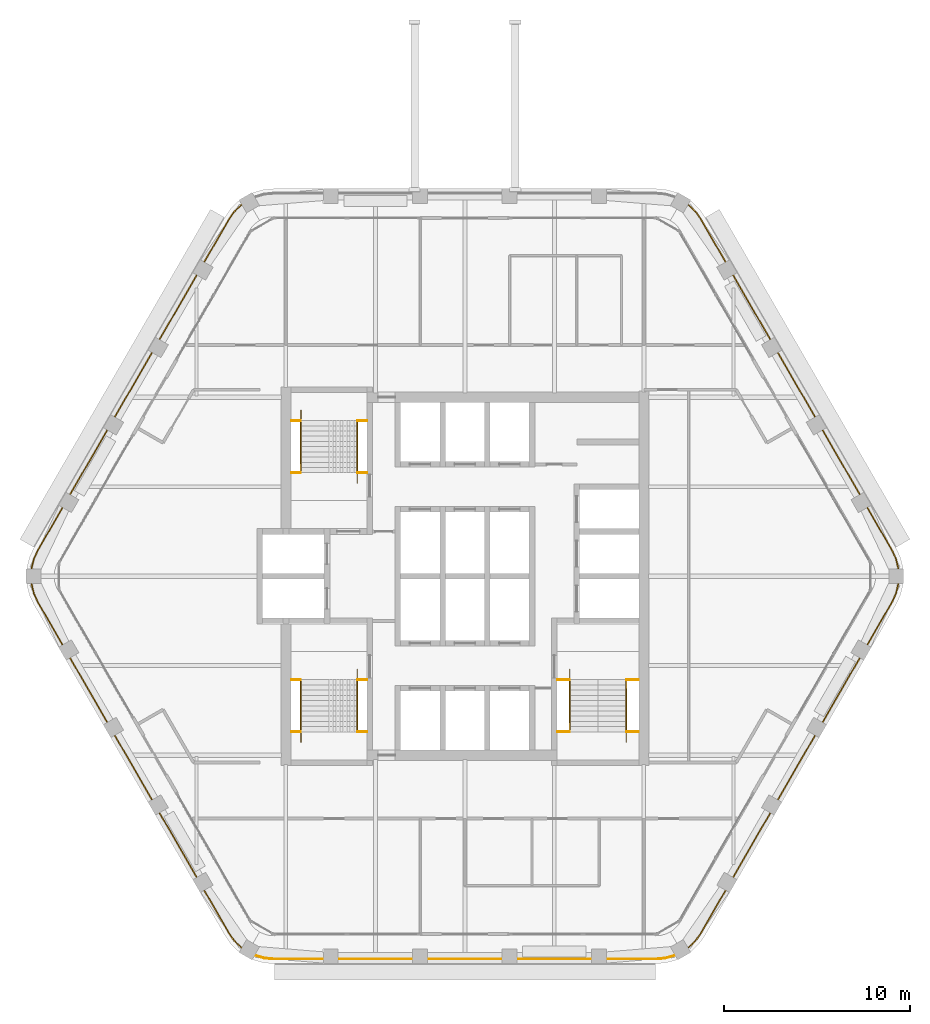
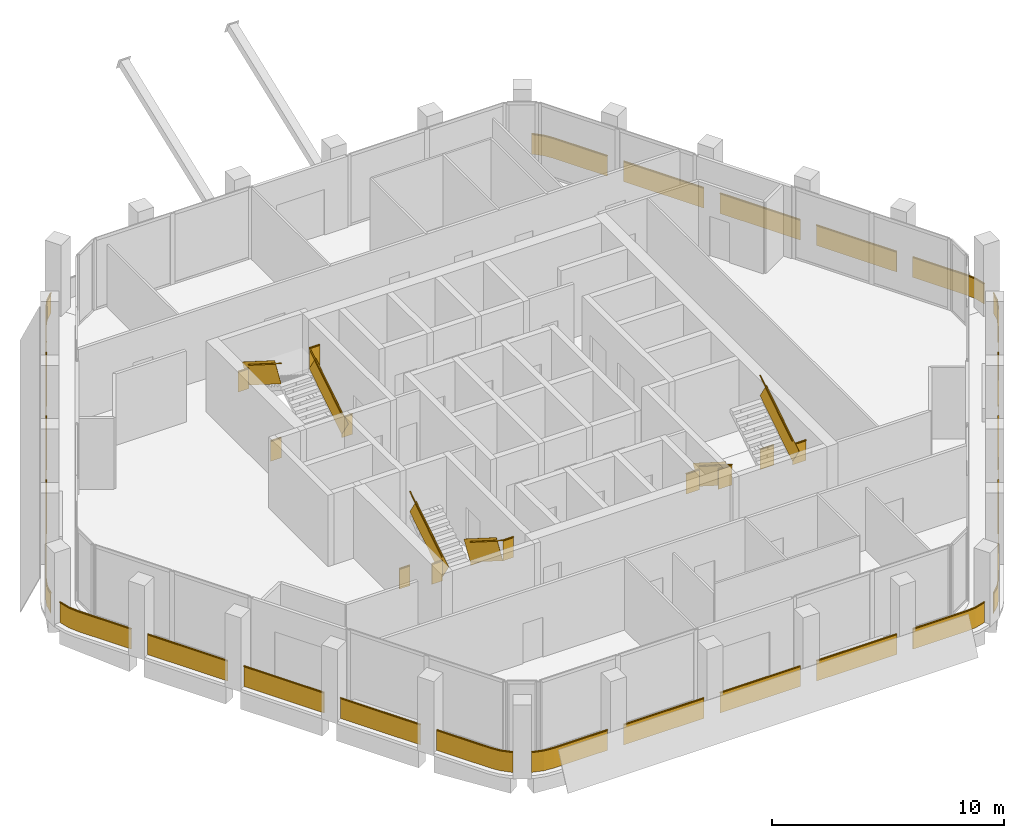
# One storey, part 13 of 14: 11 railings.
"""IFC4 building model written with IfcOpenShell, lengths in metres."""

from ifc_helpers import new_model, si_unit, direction, frame, frame_2d, origin, origin_2d, place, context, subcontext, project, spatial, rectangle, extrude, material, type_object, element, save


model = new_model("IFC4")

# Units and contexts
model_context = context("Model", 3, precision=1e-05, world=origin(), true_north=direction((0.0, 1.0)))
body_context = subcontext(model_context, "Body", "Model", "MODEL_VIEW")
ifc_project = project(units=[si_unit("LENGTHUNIT", "METRE"), si_unit("AREAUNIT", "SQUARE_METRE"), si_unit("VOLUMEUNIT", "CUBIC_METRE"), si_unit("PLANEANGLEUNIT", "RADIAN"), si_unit("MASSUNIT", "GRAM", prefix="KILO")], contexts=[model_context])

# Site, building, storey
site_placement = place(None, origin())
site = spatial("IfcSite", under=ifc_project, at=site_placement, CompositionType="ELEMENT")
building_placement = place(site_placement, origin())
building = spatial("IfcBuilding", under=site, at=building_placement, Name="Kolab Exchange Tower", CompositionType="ELEMENT")
storey_placement = place(building_placement, frame((0.0, 0.0, 261.800048828125)))
storey = spatial("IfcBuildingStorey", under=building, at=storey_placement, Name="L58", CompositionType="ELEMENT", Elevation=261.800048828125)

# Railings
ifc_material_1 = material(Name="Stainless steel 316", Category="steel")
railing_type_1 = type_object("IfcRailingType", Name="GUARD 1100", PredefinedType="GUARDRAIL", material=ifc_material_1)
railing_1_placement = place(storey_placement, frame((-9.324951171875, 5.550048828125, 0.0)))
element("IfcRailing", 1, at=railing_1_placement, inside=storey, type_object=railing_type_1, Name="Guard ST1", PredefinedType="GUARDRAIL", context=body_context, shape_type="SweptSolid", body=[
    extrude(rectangle(XDim=0.05, YDim=0.05, at=origin_2d()), frame((0.0, 0.0, 1.0751953125), z_axis=(1.0, 0.0, 0.0), x_axis=(0.0, 1.0, 0.0)), (0.0, 0.0, 1.0), 0.52734375),
    extrude(rectangle(XDim=0.012, YDim=1.05009765625, at=frame_2d((0.0, 0.525146484375))), frame((0.0, 0.0, 0.0), z_axis=(1.0, 0.0, 0.0), x_axis=(0.0, 1.0, 0.0)), (0.0, 0.0, 1.0), 0.52734375),
    extrude(rectangle(XDim=0.05, YDim=0.05, at=origin_2d()), frame((3.54736328125, 0.0, 1.0751953125), z_axis=(1.0, 0.0, 0.0), x_axis=(0.0, 1.0, 0.0)), (0.0, 0.0, 1.0), 0.527587890625),
    extrude(rectangle(XDim=0.012, YDim=1.05009765625, at=frame_2d((0.0, 0.525146484375))), frame((3.54736328125, 0.0, 0.0), z_axis=(1.0, 0.0, 0.0), x_axis=(0.0, 1.0, 0.0)), (0.0, 0.0, 1.0), 0.527587890625),
    extrude(rectangle(XDim=0.05, YDim=0.05, at=origin_2d()), frame((0.0, 2.800048828125, 3.025146484375), z_axis=(1.0, 0.0, 0.0), x_axis=(0.0, 1.0, 0.0)), (0.0, 0.0, 1.0), 0.52734375),
    extrude(rectangle(XDim=0.012, YDim=1.05009765625, at=frame_2d((0.0, 0.525146484375))), frame((0.0, 2.800048828125, 1.949951171875), z_axis=(1.0, 0.0, 0.0), x_axis=(0.0, 1.0, 0.0)), (0.0, 0.0, 1.0), 0.52734375),
    extrude(rectangle(XDim=0.05, YDim=0.05, at=origin_2d()), frame((3.54736328125, 2.800048828125, 3.025146484375), z_axis=(1.0, 0.0, 0.0), x_axis=(0.0, 1.0, 0.0)), (0.0, 0.0, 1.0), 0.527587890625),
    extrude(rectangle(XDim=0.012, YDim=1.05009765625, at=frame_2d((0.0, 0.525146484375))), frame((3.54736328125, 2.800048828125, 1.949951171875), z_axis=(1.0, 0.0, 0.0), x_axis=(0.0, 1.0, 0.0)), (0.0, 0.0, 1.0), 0.527587890625),
])
railing_2_placement = place(storey_placement, frame((-5.777587890625, 5.550048828125, 0.17724609375)))
element("IfcRailing", 2, at=railing_2_placement, inside=storey, type_object=railing_type_1, Name="Handrail guard ST1", PredefinedType="GUARDRAIL", context=body_context, shape_type="SweptSolid", body=[
    extrude(rectangle(XDim=0.05, YDim=0.05, at=origin_2d()), frame((0.0, 0.0, 1.0751953125), z_axis=(0.0, 0.844908973607, 0.534910110503), x_axis=(-1.0, 0.0, 0.0)), (0.0, 0.0, 1.0), 3.31396484375),
    extrude(rectangle(XDim=0.012, YDim=1.05009765625, at=frame_2d((0.0, 0.525146484375))), frame((0.0, 0.0, 0.0), z_axis=(0.0, 0.844908973607, 0.534910110503), x_axis=(-1.0, 0.0, 0.0)), (0.0, 0.0, 1.0), 3.31396484375),
    extrude(rectangle(XDim=0.05, YDim=0.05, at=origin_2d()), frame((-3.02001953125, 2.800048828125, 3.025146484375), z_axis=(0.0, -0.844908973607, 0.534910110503), x_axis=(1.0, 0.0, 0.0)), (0.0, 0.0, 1.0), 3.31396484375),
    extrude(rectangle(XDim=0.012, YDim=1.05009765625, at=frame_2d((0.0, 0.525146484375))), frame((-3.02001953125, 2.800048828125, 1.949951171875), z_axis=(0.0, -0.844908973607, 0.534910110503), x_axis=(1.0, 0.0, 0.0)), (0.0, 0.0, 1.0), 3.31396484375),
])
railing_3_placement = place(storey_placement, frame((-9.324951171875, -5.550048828125, 0.0)))
element("IfcRailing", 3, at=railing_3_placement, inside=storey, type_object=railing_type_1, Name="Guard ST3", PredefinedType="GUARDRAIL", context=body_context, shape_type="SweptSolid", body=[
    extrude(rectangle(XDim=0.05, YDim=0.05, at=origin_2d()), frame((0.0, 0.0, 1.0751953125), z_axis=(1.0, 0.0, 0.0), x_axis=(0.0, 1.0, 0.0)), (0.0, 0.0, 1.0), 0.52734375),
    extrude(rectangle(XDim=0.012, YDim=1.05009765625, at=frame_2d((0.0, 0.525146484375))), frame((0.0, 0.0, 0.0), z_axis=(1.0, 0.0, 0.0), x_axis=(0.0, 1.0, 0.0)), (0.0, 0.0, 1.0), 0.52734375),
    extrude(rectangle(XDim=0.05, YDim=0.05, at=origin_2d()), frame((3.54736328125, 0.0, 1.0751953125), z_axis=(1.0, 0.0, 0.0), x_axis=(0.0, 1.0, 0.0)), (0.0, 0.0, 1.0), 0.527587890625),
    extrude(rectangle(XDim=0.012, YDim=1.05009765625, at=frame_2d((0.0, 0.525146484375))), frame((3.54736328125, 0.0, 0.0), z_axis=(1.0, 0.0, 0.0), x_axis=(0.0, 1.0, 0.0)), (0.0, 0.0, 1.0), 0.527587890625),
    extrude(rectangle(XDim=0.05, YDim=0.05, at=origin_2d()), frame((0.0, -2.800048828125, 3.025146484375), z_axis=(1.0, 0.0, 0.0), x_axis=(0.0, 1.0, 0.0)), (0.0, 0.0, 1.0), 0.52734375),
    extrude(rectangle(XDim=0.012, YDim=1.05009765625, at=frame_2d((0.0, 0.525146484375))), frame((0.0, -2.800048828125, 1.949951171875), z_axis=(1.0, 0.0, 0.0), x_axis=(0.0, 1.0, 0.0)), (0.0, 0.0, 1.0), 0.52734375),
    extrude(rectangle(XDim=0.05, YDim=0.05, at=origin_2d()), frame((3.54736328125, -2.800048828125, 3.025146484375), z_axis=(1.0, 0.0, 0.0), x_axis=(0.0, 1.0, 0.0)), (0.0, 0.0, 1.0), 0.527587890625),
    extrude(rectangle(XDim=0.012, YDim=1.05009765625, at=frame_2d((0.0, 0.525146484375))), frame((3.54736328125, -2.800048828125, 1.949951171875), z_axis=(1.0, 0.0, 0.0), x_axis=(0.0, 1.0, 0.0)), (0.0, 0.0, 1.0), 0.527587890625),
])
railing_4_placement = place(storey_placement, frame((-5.777587890625, -5.550048828125, 0.17724609375)))
element("IfcRailing", 4, at=railing_4_placement, inside=storey, type_object=railing_type_1, Name="Handrail guard ST3", PredefinedType="GUARDRAIL", context=body_context, shape_type="SweptSolid", body=[
    extrude(rectangle(XDim=0.05, YDim=0.05, at=origin_2d()), frame((0.0, 0.0, 1.0751953125), z_axis=(0.0, -0.844908973607, 0.534910110503), x_axis=(1.0, 0.0, 0.0)), (0.0, 0.0, 1.0), 3.31396484375),
    extrude(rectangle(XDim=0.012, YDim=1.05009765625, at=frame_2d((0.0, 0.525146484375))), frame((0.0, 0.0, 0.0), z_axis=(0.0, -0.844908973607, 0.534910110503), x_axis=(1.0, 0.0, 0.0)), (0.0, 0.0, 1.0), 3.31396484375),
    extrude(rectangle(XDim=0.05, YDim=0.05, at=origin_2d()), frame((-3.02001953125, -2.800048828125, 3.025146484375), z_axis=(0.0, 0.844908973607, 0.534910110503), x_axis=(-1.0, 0.0, 0.0)), (0.0, 0.0, 1.0), 3.31396484375),
    extrude(rectangle(XDim=0.012, YDim=1.05009765625, at=frame_2d((0.0, 0.525146484375))), frame((-3.02001953125, -2.800048828125, 1.949951171875), z_axis=(0.0, 0.844908973607, 0.534910110503), x_axis=(-1.0, 0.0, 0.0)), (0.0, 0.0, 1.0), 3.31396484375),
])
railing_5_placement = place(storey_placement, frame((4.949951171875, -5.550048828125, 0.0)))
element("IfcRailing", 5, at=railing_5_placement, inside=storey, type_object=railing_type_1, Name="Guard ST2", PredefinedType="GUARDRAIL", context=body_context, shape_type="SweptSolid", body=[
    extrude(rectangle(XDim=0.05, YDim=0.05, at=origin_2d()), frame((0.0, 0.0, 1.0751953125), z_axis=(1.0, 0.0, 0.0), x_axis=(0.0, 1.0, 0.0)), (0.0, 0.0, 1.0), 0.677490234375),
    extrude(rectangle(XDim=0.012, YDim=1.05009765625, at=frame_2d((0.0, 0.525146484375))), frame((0.0, 0.0, 0.0), z_axis=(1.0, 0.0, 0.0), x_axis=(0.0, 1.0, 0.0)), (0.0, 0.0, 1.0), 0.677490234375),
    extrude(rectangle(XDim=0.05, YDim=0.05, at=origin_2d()), frame((3.697509765625, 0.0, 1.0751953125), z_axis=(1.0, 0.0, 0.0), x_axis=(0.0, 1.0, 0.0)), (0.0, 0.0, 1.0), 0.677490234375),
    extrude(rectangle(XDim=0.012, YDim=1.05009765625, at=frame_2d((0.0, 0.525146484375))), frame((3.697509765625, 0.0, 0.0), z_axis=(1.0, 0.0, 0.0), x_axis=(0.0, 1.0, 0.0)), (0.0, 0.0, 1.0), 0.677490234375),
    extrude(rectangle(XDim=0.05, YDim=0.05, at=origin_2d()), frame((0.0, -2.800048828125, 3.025146484375), z_axis=(1.0, 0.0, 0.0), x_axis=(0.0, 1.0, 0.0)), (0.0, 0.0, 1.0), 0.677490234375),
    extrude(rectangle(XDim=0.012, YDim=1.05009765625, at=frame_2d((0.0, 0.525146484375))), frame((0.0, -2.800048828125, 1.949951171875), z_axis=(1.0, 0.0, 0.0), x_axis=(0.0, 1.0, 0.0)), (0.0, 0.0, 1.0), 0.677490234375),
    extrude(rectangle(XDim=0.05, YDim=0.05, at=origin_2d()), frame((3.697509765625, -2.800048828125, 3.025146484375), z_axis=(1.0, 0.0, 0.0), x_axis=(0.0, 1.0, 0.0)), (0.0, 0.0, 1.0), 0.677490234375),
    extrude(rectangle(XDim=0.012, YDim=1.05009765625, at=frame_2d((0.0, 0.525146484375))), frame((3.697509765625, -2.800048828125, 1.949951171875), z_axis=(1.0, 0.0, 0.0), x_axis=(0.0, 1.0, 0.0)), (0.0, 0.0, 1.0), 0.677490234375),
])
railing_6_placement = place(storey_placement, frame((5.62744140625, -5.550048828125, 0.17724609375)))
element("IfcRailing", 6, at=railing_6_placement, inside=storey, type_object=railing_type_1, Name="Handrail guard ST2", PredefinedType="GUARDRAIL", context=body_context, shape_type="SweptSolid", body=[
    extrude(rectangle(XDim=0.05, YDim=0.05, at=origin_2d()), frame((0.0, 0.0, 1.0751953125), z_axis=(0.0, -0.844908973607, 0.534910110503), x_axis=(1.0, 0.0, 0.0)), (0.0, 0.0, 1.0), 3.31396484375),
    extrude(rectangle(XDim=0.012, YDim=1.05009765625, at=frame_2d((0.0, 0.525146484375))), frame((0.0, 0.0, 0.0), z_axis=(0.0, -0.844908973607, 0.534910110503), x_axis=(1.0, 0.0, 0.0)), (0.0, 0.0, 1.0), 3.31396484375),
    extrude(rectangle(XDim=0.05, YDim=0.05, at=origin_2d()), frame((3.02001953125, -2.800048828125, 3.025146484375), z_axis=(0.0, 0.844908973607, 0.534910110503), x_axis=(-1.0, 0.0, 0.0)), (0.0, 0.0, 1.0), 3.31396484375),
    extrude(rectangle(XDim=0.012, YDim=1.05009765625, at=frame_2d((0.0, 0.525146484375))), frame((3.02001953125, -2.800048828125, 1.949951171875), z_axis=(0.0, 0.844908973607, 0.534910110503), x_axis=(-1.0, 0.0, 0.0)), (0.0, 0.0, 1.0), 3.31396484375),
])
ifc_material_2 = material(Name="Steel S235", Category="steel")
railing_type_2 = type_object("IfcRailingType", Name="GUARD 1100 GLASS BALUSTRADE AND STEEL TOP RAIL", PredefinedType="GUARDRAIL", material=ifc_material_2)
railing_7_placement = place(storey_placement, frame((23.2509765625, 0.3984375, 0.0)))
element("IfcRailing", 7, at=railing_7_placement, inside=storey, type_object=railing_type_2, Name="Guard", PredefinedType="GUARDRAIL", context=body_context, shape_type="SweptSolid", body=[
    extrude(rectangle(XDim=0.05, YDim=0.05, at=origin_2d()), frame((0.0, 0.0, 1.0751953125), z_axis=(-0.234597748196, 0.972092534968, 0.0), x_axis=(-0.972092534968, -0.234597748196, 0.0)), (0.0, 0.0, 1.0), 0.557861328125),
    extrude(rectangle(XDim=0.012, YDim=1.05009765625, at=frame_2d((0.0, 0.525146484375))), frame((0.0, 0.0, 0.0), z_axis=(-0.234597748196, 0.972092534968, 0.0), x_axis=(-0.972092534968, -0.234597748196, 0.0)), (0.0, 0.0, 1.0), 0.557861328125),
    extrude(rectangle(XDim=0.05, YDim=0.05, at=origin_2d()), frame((-0.130859375, 0.542236328125, 1.0751953125), z_axis=(-0.422801802984, 0.906222177721, 0.0), x_axis=(-0.906222177721, -0.422801802984, 0.0)), (0.0, 0.0, 1.0), 0.479248046875),
    extrude(rectangle(XDim=0.012, YDim=1.05009765625, at=frame_2d((0.0, 0.525146484375))), frame((-0.130859375, 0.542236328125, 0.0), z_axis=(-0.422801802984, 0.906222177721, 0.0), x_axis=(-0.906222177721, -0.422801802984, 0.0)), (0.0, 0.0, 1.0), 0.479248046875),
    extrude(rectangle(XDim=0.05, YDim=0.05, at=origin_2d()), frame((-0.33349609375, 0.9765625, 1.0751953125), z_axis=(-0.499997052475, 0.866027105532, 0.0), x_axis=(-0.866027105532, -0.499997052475, 0.0)), (0.0, 0.0, 1.0), 2.66796875),
    extrude(rectangle(XDim=0.012, YDim=1.05009765625, at=frame_2d((0.0, 0.525146484375))), frame((-0.33349609375, 0.9765625, 0.0), z_axis=(-0.499997052475, 0.866027105532, 0.0), x_axis=(-0.866027105532, -0.499997052475, 0.0)), (0.0, 0.0, 1.0), 2.66796875),
    extrude(rectangle(XDim=0.05, YDim=0.05, at=origin_2d()), frame((-2.0673828125, 3.97998046875, 1.0751953125), z_axis=(-0.49999894854, 0.866026010844, 0.0), x_axis=(-0.866026010844, -0.49999894854, 0.0)), (0.0, 0.0, 1.0), 4.0),
    extrude(rectangle(XDim=0.012, YDim=1.05009765625, at=frame_2d((0.0, 0.525146484375))), frame((-2.0673828125, 3.97998046875, 0.0), z_axis=(-0.49999894854, 0.866026010844, 0.0), x_axis=(-0.866026010844, -0.49999894854, 0.0)), (0.0, 0.0, 1.0), 4.0),
    extrude(rectangle(XDim=0.05, YDim=0.05, at=origin_2d()), frame((-4.467529296875, 8.13671875, 1.0751953125), z_axis=(-0.49999894854, 0.866026010844, 0.0), x_axis=(-0.866026010844, -0.49999894854, 0.0)), (0.0, 0.0, 1.0), 4.0),
    extrude(rectangle(XDim=0.012, YDim=1.05009765625, at=frame_2d((0.0, 0.525146484375))), frame((-4.467529296875, 8.13671875, 0.0), z_axis=(-0.49999894854, 0.866026010844, 0.0), x_axis=(-0.866026010844, -0.49999894854, 0.0)), (0.0, 0.0, 1.0), 4.0),
    extrude(rectangle(XDim=0.05, YDim=0.05, at=origin_2d()), frame((-6.867431640625, 12.293701171875, 1.0751953125), z_axis=(-0.49999894854, 0.866026010844, 0.0), x_axis=(-0.866026010844, -0.49999894854, 0.0)), (0.0, 0.0, 1.0), 4.0),
    extrude(rectangle(XDim=0.012, YDim=1.05009765625, at=frame_2d((0.0, 0.525146484375))), frame((-6.867431640625, 12.293701171875, 0.0), z_axis=(-0.49999894854, 0.866026010844, 0.0), x_axis=(-0.866026010844, -0.49999894854, 0.0)), (0.0, 0.0, 1.0), 4.0),
    extrude(rectangle(XDim=0.05, YDim=0.05, at=origin_2d()), frame((-9.267578125, 16.45068359375, 1.0751953125), z_axis=(-0.499997052475, 0.866027105532, 0.0), x_axis=(-0.866027105532, -0.499997052475, 0.0)), (0.0, 0.0, 1.0), 2.66796875),
    extrude(rectangle(XDim=0.012, YDim=1.05009765625, at=frame_2d((0.0, 0.525146484375))), frame((-9.267578125, 16.45068359375, 0.0), z_axis=(-0.499997052475, 0.866027105532, 0.0), x_axis=(-0.866027105532, -0.499997052475, 0.0)), (0.0, 0.0, 1.0), 2.66796875),
    extrude(rectangle(XDim=0.05, YDim=0.05, at=origin_2d()), frame((-10.6015625, 18.76123046875, 1.0751953125), z_axis=(-0.573599091554, 0.819136180478, 0.0), x_axis=(-0.819136180478, -0.573599091554, 0.0)), (0.0, 0.0, 1.0), 0.479248046875),
    extrude(rectangle(XDim=0.012, YDim=1.05009765625, at=frame_2d((0.0, 0.525146484375))), frame((-10.6015625, 18.76123046875, 0.0), z_axis=(-0.573599091554, 0.819136180478, 0.0), x_axis=(-0.819136180478, -0.573599091554, 0.0)), (0.0, 0.0, 1.0), 0.479248046875),
    extrude(rectangle(XDim=0.05, YDim=0.05, at=origin_2d()), frame((-10.87646484375, 19.15380859375, 1.0751953125), z_axis=(-0.724189990991, 0.689600505327, 0.0), x_axis=(-0.689600505327, -0.724189990991, 0.0)), (0.0, 0.0, 1.0), 0.5576171875),
    extrude(rectangle(XDim=0.012, YDim=1.05009765625, at=frame_2d((0.0, 0.525146484375))), frame((-10.87646484375, 19.15380859375, 0.0), z_axis=(-0.724189990991, 0.689600505327, 0.0), x_axis=(-0.689600505327, -0.724189990991, 0.0)), (0.0, 0.0, 1.0), 0.5576171875),
])
railing_8_placement = place(storey_placement, frame((11.970703125, -19.936767578125, 0.0)))
element("IfcRailing", 8, at=railing_8_placement, inside=storey, type_object=railing_type_2, Name="Guard", PredefinedType="GUARDRAIL", context=body_context, shape_type="SweptSolid", body=[
    extrude(rectangle(XDim=0.05, YDim=0.05, at=origin_2d()), frame((0.0, 0.0, 1.0751953125), z_axis=(0.724189990991, 0.689600505327, 0.0), x_axis=(-0.689600505327, 0.724189990991, 0.0)), (0.0, 0.0, 1.0), 0.5576171875),
    extrude(rectangle(XDim=0.012, YDim=1.05009765625, at=frame_2d((0.0, 0.525146484375))), frame((0.0, 0.0, 0.0), z_axis=(0.724189990991, 0.689600505327, 0.0), x_axis=(-0.689600505327, 0.724189990991, 0.0)), (0.0, 0.0, 1.0), 0.5576171875),
    extrude(rectangle(XDim=0.05, YDim=0.05, at=origin_2d()), frame((0.40380859375, 0.384521484375, 1.0751953125), z_axis=(0.573599091554, 0.819136180478, 0.0), x_axis=(-0.819136180478, 0.573599091554, 0.0)), (0.0, 0.0, 1.0), 0.479248046875),
    extrude(rectangle(XDim=0.012, YDim=1.05009765625, at=frame_2d((0.0, 0.525146484375))), frame((0.40380859375, 0.384521484375, 0.0), z_axis=(0.573599091554, 0.819136180478, 0.0), x_axis=(-0.819136180478, 0.573599091554, 0.0)), (0.0, 0.0, 1.0), 0.479248046875),
    extrude(rectangle(XDim=0.05, YDim=0.05, at=origin_2d()), frame((0.6787109375, 0.777099609375, 1.0751953125), z_axis=(0.499997052475, 0.866027105532, 0.0), x_axis=(-0.866027105532, 0.499997052475, 0.0)), (0.0, 0.0, 1.0), 2.66796875),
    extrude(rectangle(XDim=0.012, YDim=1.05009765625, at=frame_2d((0.0, 0.525146484375))), frame((0.6787109375, 0.777099609375, 0.0), z_axis=(0.499997052475, 0.866027105532, 0.0), x_axis=(-0.866027105532, 0.499997052475, 0.0)), (0.0, 0.0, 1.0), 2.66796875),
    extrude(rectangle(XDim=0.05, YDim=0.05, at=origin_2d()), frame((2.412841796875, 3.780517578125, 1.0751953125), z_axis=(0.49999894854, 0.866026010844, 0.0), x_axis=(-0.866026010844, 0.49999894854, 0.0)), (0.0, 0.0, 1.0), 4.0),
    extrude(rectangle(XDim=0.012, YDim=1.05009765625, at=frame_2d((0.0, 0.525146484375))), frame((2.412841796875, 3.780517578125, 0.0), z_axis=(0.49999894854, 0.866026010844, 0.0), x_axis=(-0.866026010844, 0.49999894854, 0.0)), (0.0, 0.0, 1.0), 4.0),
    extrude(rectangle(XDim=0.05, YDim=0.05, at=origin_2d()), frame((4.812744140625, 7.9375, 1.0751953125), z_axis=(0.49999894854, 0.866026010844, 0.0), x_axis=(-0.866026010844, 0.49999894854, 0.0)), (0.0, 0.0, 1.0), 4.0),
    extrude(rectangle(XDim=0.012, YDim=1.05009765625, at=frame_2d((0.0, 0.525146484375))), frame((4.812744140625, 7.9375, 0.0), z_axis=(0.49999894854, 0.866026010844, 0.0), x_axis=(-0.866026010844, 0.49999894854, 0.0)), (0.0, 0.0, 1.0), 4.0),
    extrude(rectangle(XDim=0.05, YDim=0.05, at=origin_2d()), frame((7.212890625, 12.09423828125, 1.0751953125), z_axis=(0.49999894854, 0.866026010844, 0.0), x_axis=(-0.866026010844, 0.49999894854, 0.0)), (0.0, 0.0, 1.0), 4.0),
    extrude(rectangle(XDim=0.012, YDim=1.05009765625, at=frame_2d((0.0, 0.525146484375))), frame((7.212890625, 12.09423828125, 0.0), z_axis=(0.49999894854, 0.866026010844, 0.0), x_axis=(-0.866026010844, 0.49999894854, 0.0)), (0.0, 0.0, 1.0), 4.0),
    extrude(rectangle(XDim=0.05, YDim=0.05, at=origin_2d()), frame((9.61279296875, 16.251220703125, 1.0751953125), z_axis=(0.499997052475, 0.866027105532, 0.0), x_axis=(-0.866027105532, 0.499997052475, 0.0)), (0.0, 0.0, 1.0), 2.66796875),
    extrude(rectangle(XDim=0.012, YDim=1.05009765625, at=frame_2d((0.0, 0.525146484375))), frame((9.61279296875, 16.251220703125, 0.0), z_axis=(0.499997052475, 0.866027105532, 0.0), x_axis=(-0.866027105532, 0.499997052475, 0.0)), (0.0, 0.0, 1.0), 2.66796875),
    extrude(rectangle(XDim=0.05, YDim=0.05, at=origin_2d()), frame((10.94677734375, 18.561767578125, 1.0751953125), z_axis=(0.422801802984, 0.906222177721, 0.0), x_axis=(-0.906222177721, 0.422801802984, 0.0)), (0.0, 0.0, 1.0), 0.479248046875),
    extrude(rectangle(XDim=0.012, YDim=1.05009765625, at=frame_2d((0.0, 0.525146484375))), frame((10.94677734375, 18.561767578125, 0.0), z_axis=(0.422801802984, 0.906222177721, 0.0), x_axis=(-0.906222177721, 0.422801802984, 0.0)), (0.0, 0.0, 1.0), 0.479248046875),
    extrude(rectangle(XDim=0.05, YDim=0.05, at=origin_2d()), frame((11.1494140625, 18.99609375, 1.0751953125), z_axis=(0.234597748196, 0.972092534968, 0.0), x_axis=(-0.972092534968, 0.234597748196, 0.0)), (0.0, 0.0, 1.0), 0.557861328125),
    extrude(rectangle(XDim=0.012, YDim=1.05009765625, at=frame_2d((0.0, 0.525146484375))), frame((11.1494140625, 18.99609375, 0.0), z_axis=(0.234597748196, 0.972092534968, 0.0), x_axis=(-0.972092534968, 0.234597748196, 0.0)), (0.0, 0.0, 1.0), 0.557861328125),
])
railing_9_placement = place(storey_placement, frame((-11.280517578125, -20.335205078125, 0.0)))
element("IfcRailing", 9, at=railing_9_placement, inside=storey, type_object=railing_type_2, Name="Guard", PredefinedType="GUARDRAIL", context=body_context, shape_type="SweptSolid", body=[
    extrude(rectangle(XDim=0.05, YDim=0.05, at=origin_2d()), frame((0.0, 0.0, 1.0751953125), z_axis=(0.959212061764, -0.282687496304, 0.0), x_axis=(0.282687496304, 0.959212061764, 0.0)), (0.0, 0.0, 1.0), 0.557861328125),
    extrude(rectangle(XDim=0.012, YDim=1.05009765625, at=frame_2d((0.0, 0.525146484375))), frame((0.0, 0.0, 0.0), z_axis=(0.959212061764, -0.282687496304, 0.0), x_axis=(0.282687496304, 0.959212061764, 0.0)), (0.0, 0.0, 1.0), 0.557861328125),
    extrude(rectangle(XDim=0.05, YDim=0.05, at=origin_2d()), frame((0.53515625, -0.15771484375, 1.0751953125), z_axis=(0.996196482496, -0.087135344505, 0.0), x_axis=(0.087135344505, 0.996196482496, 0.0)), (0.0, 0.0, 1.0), 0.47900390625),
    extrude(rectangle(XDim=0.012, YDim=1.05009765625, at=frame_2d((0.0, 0.525146484375))), frame((0.53515625, -0.15771484375, 0.0), z_axis=(0.996196482496, -0.087135344505, 0.0), x_axis=(0.087135344505, 0.996196482496, 0.0)), (0.0, 0.0, 1.0), 0.47900390625),
    extrude(rectangle(XDim=0.05, YDim=0.05, at=origin_2d()), frame((1.012451171875, -0.199462890625, 1.0751953125), z_axis=(1.0, 0.0, 0.0), x_axis=(0.0, 1.0, 0.0)), (0.0, 0.0, 1.0), 2.66796875),
    extrude(rectangle(XDim=0.012, YDim=1.05009765625, at=frame_2d((0.0, 0.525146484375))), frame((1.012451171875, -0.199462890625, 0.0), z_axis=(1.0, 0.0, 0.0), x_axis=(0.0, 1.0, 0.0)), (0.0, 0.0, 1.0), 2.66796875),
    extrude(rectangle(XDim=0.05, YDim=0.05, at=origin_2d()), frame((4.48046875, -0.199462890625, 1.0751953125), z_axis=(1.0, 0.0, 0.0), x_axis=(0.0, 1.0, 0.0)), (0.0, 0.0, 1.0), 4.0),
    extrude(rectangle(XDim=0.012, YDim=1.05009765625, at=frame_2d((0.0, 0.525146484375))), frame((4.48046875, -0.199462890625, 0.0), z_axis=(1.0, 0.0, 0.0), x_axis=(0.0, 1.0, 0.0)), (0.0, 0.0, 1.0), 4.0),
    extrude(rectangle(XDim=0.05, YDim=0.05, at=origin_2d()), frame((9.280517578125, -0.199462890625, 1.0751953125), z_axis=(1.0, 0.0, 0.0), x_axis=(0.0, 1.0, 0.0)), (0.0, 0.0, 1.0), 4.0),
    extrude(rectangle(XDim=0.012, YDim=1.05009765625, at=frame_2d((0.0, 0.525146484375))), frame((9.280517578125, -0.199462890625, 0.0), z_axis=(1.0, 0.0, 0.0), x_axis=(0.0, 1.0, 0.0)), (0.0, 0.0, 1.0), 4.0),
    extrude(rectangle(XDim=0.05, YDim=0.05, at=origin_2d()), frame((14.08056640625, -0.199462890625, 1.0751953125), z_axis=(1.0, 0.0, 0.0), x_axis=(0.0, 1.0, 0.0)), (0.0, 0.0, 1.0), 4.0),
    extrude(rectangle(XDim=0.012, YDim=1.05009765625, at=frame_2d((0.0, 0.525146484375))), frame((14.08056640625, -0.199462890625, 0.0), z_axis=(1.0, 0.0, 0.0), x_axis=(0.0, 1.0, 0.0)), (0.0, 0.0, 1.0), 4.0),
    extrude(rectangle(XDim=0.05, YDim=0.05, at=origin_2d()), frame((18.880615234375, -0.199462890625, 1.0751953125), z_axis=(1.0, 0.0, 0.0), x_axis=(0.0, 1.0, 0.0)), (0.0, 0.0, 1.0), 2.66796875),
    extrude(rectangle(XDim=0.012, YDim=1.05009765625, at=frame_2d((0.0, 0.525146484375))), frame((18.880615234375, -0.199462890625, 0.0), z_axis=(1.0, 0.0, 0.0), x_axis=(0.0, 1.0, 0.0)), (0.0, 0.0, 1.0), 2.66796875),
    extrude(rectangle(XDim=0.05, YDim=0.05, at=origin_2d()), frame((21.548583984375, -0.199462890625, 1.0751953125), z_axis=(0.996196482496, 0.087135344505, 0.0), x_axis=(-0.087135344505, 0.996196482496, 0.0)), (0.0, 0.0, 1.0), 0.47900390625),
    extrude(rectangle(XDim=0.012, YDim=1.05009765625, at=frame_2d((0.0, 0.525146484375))), frame((21.548583984375, -0.199462890625, 0.0), z_axis=(0.996196482496, 0.087135344505, 0.0), x_axis=(-0.087135344505, 0.996196482496, 0.0)), (0.0, 0.0, 1.0), 0.47900390625),
    extrude(rectangle(XDim=0.05, YDim=0.05, at=origin_2d()), frame((22.02587890625, -0.15771484375, 1.0751953125), z_axis=(0.959212061764, 0.282687496304, 0.0), x_axis=(-0.282687496304, 0.959212061764, 0.0)), (0.0, 0.0, 1.0), 0.557861328125),
    extrude(rectangle(XDim=0.012, YDim=1.05009765625, at=frame_2d((0.0, 0.525146484375))), frame((22.02587890625, -0.15771484375, 0.0), z_axis=(0.959212061764, 0.282687496304, 0.0), x_axis=(-0.282687496304, 0.959212061764, 0.0)), (0.0, 0.0, 1.0), 0.557861328125),
])
railing_10_placement = place(storey_placement, frame((-23.2509765625, -0.3984375, 0.0)))
element("IfcRailing", 10, at=railing_10_placement, inside=storey, type_object=railing_type_2, Name="Guard", PredefinedType="GUARDRAIL", context=body_context, shape_type="SweptSolid", body=[
    extrude(rectangle(XDim=0.05, YDim=0.05, at=origin_2d()), frame((0.0, 0.0, 1.0751953125), z_axis=(0.234597748196, -0.972092534968, 0.0), x_axis=(0.972092534968, 0.234597748196, 0.0)), (0.0, 0.0, 1.0), 0.557861328125),
    extrude(rectangle(XDim=0.012, YDim=1.05009765625, at=frame_2d((0.0, 0.525146484375))), frame((0.0, 0.0, 0.0), z_axis=(0.234597748196, -0.972092534968, 0.0), x_axis=(0.972092534968, 0.234597748196, 0.0)), (0.0, 0.0, 1.0), 0.557861328125),
    extrude(rectangle(XDim=0.05, YDim=0.05, at=origin_2d()), frame((0.130859375, -0.542236328125, 1.0751953125), z_axis=(0.422801802984, -0.906222177721, 0.0), x_axis=(0.906222177721, 0.422801802984, 0.0)), (0.0, 0.0, 1.0), 0.479248046875),
    extrude(rectangle(XDim=0.012, YDim=1.05009765625, at=frame_2d((0.0, 0.525146484375))), frame((0.130859375, -0.542236328125, 0.0), z_axis=(0.422801802984, -0.906222177721, 0.0), x_axis=(0.906222177721, 0.422801802984, 0.0)), (0.0, 0.0, 1.0), 0.479248046875),
    extrude(rectangle(XDim=0.05, YDim=0.05, at=origin_2d()), frame((0.33349609375, -0.9765625, 1.0751953125), z_axis=(0.499997052475, -0.866027105532, 0.0), x_axis=(0.866027105532, 0.499997052475, 0.0)), (0.0, 0.0, 1.0), 2.66796875),
    extrude(rectangle(XDim=0.012, YDim=1.05009765625, at=frame_2d((0.0, 0.525146484375))), frame((0.33349609375, -0.9765625, 0.0), z_axis=(0.499997052475, -0.866027105532, 0.0), x_axis=(0.866027105532, 0.499997052475, 0.0)), (0.0, 0.0, 1.0), 2.66796875),
    extrude(rectangle(XDim=0.05, YDim=0.05, at=origin_2d()), frame((2.0673828125, -3.97998046875, 1.0751953125), z_axis=(0.49999894854, -0.866026010844, 0.0), x_axis=(0.866026010844, 0.49999894854, 0.0)), (0.0, 0.0, 1.0), 4.0),
    extrude(rectangle(XDim=0.012, YDim=1.05009765625, at=frame_2d((0.0, 0.525146484375))), frame((2.0673828125, -3.97998046875, 0.0), z_axis=(0.49999894854, -0.866026010844, 0.0), x_axis=(0.866026010844, 0.49999894854, 0.0)), (0.0, 0.0, 1.0), 4.0),
    extrude(rectangle(XDim=0.05, YDim=0.05, at=origin_2d()), frame((4.467529296875, -8.13671875, 1.0751953125), z_axis=(0.49999894854, -0.866026010844, 0.0), x_axis=(0.866026010844, 0.49999894854, 0.0)), (0.0, 0.0, 1.0), 4.0),
    extrude(rectangle(XDim=0.012, YDim=1.05009765625, at=frame_2d((0.0, 0.525146484375))), frame((4.467529296875, -8.13671875, 0.0), z_axis=(0.49999894854, -0.866026010844, 0.0), x_axis=(0.866026010844, 0.49999894854, 0.0)), (0.0, 0.0, 1.0), 4.0),
    extrude(rectangle(XDim=0.05, YDim=0.05, at=origin_2d()), frame((6.867431640625, -12.293701171875, 1.0751953125), z_axis=(0.49999894854, -0.866026010844, 0.0), x_axis=(0.866026010844, 0.49999894854, 0.0)), (0.0, 0.0, 1.0), 4.0),
    extrude(rectangle(XDim=0.012, YDim=1.05009765625, at=frame_2d((0.0, 0.525146484375))), frame((6.867431640625, -12.293701171875, 0.0), z_axis=(0.49999894854, -0.866026010844, 0.0), x_axis=(0.866026010844, 0.49999894854, 0.0)), (0.0, 0.0, 1.0), 4.0),
    extrude(rectangle(XDim=0.05, YDim=0.05, at=origin_2d()), frame((9.267578125, -16.45068359375, 1.0751953125), z_axis=(0.499997052475, -0.866027105532, 0.0), x_axis=(0.866027105532, 0.499997052475, 0.0)), (0.0, 0.0, 1.0), 2.66796875),
    extrude(rectangle(XDim=0.012, YDim=1.05009765625, at=frame_2d((0.0, 0.525146484375))), frame((9.267578125, -16.45068359375, 0.0), z_axis=(0.499997052475, -0.866027105532, 0.0), x_axis=(0.866027105532, 0.499997052475, 0.0)), (0.0, 0.0, 1.0), 2.66796875),
    extrude(rectangle(XDim=0.05, YDim=0.05, at=origin_2d()), frame((10.6015625, -18.76123046875, 1.0751953125), z_axis=(0.573599091554, -0.819136180478, 0.0), x_axis=(0.819136180478, 0.573599091554, 0.0)), (0.0, 0.0, 1.0), 0.479248046875),
    extrude(rectangle(XDim=0.012, YDim=1.05009765625, at=frame_2d((0.0, 0.525146484375))), frame((10.6015625, -18.76123046875, 0.0), z_axis=(0.573599091554, -0.819136180478, 0.0), x_axis=(0.819136180478, 0.573599091554, 0.0)), (0.0, 0.0, 1.0), 0.479248046875),
    extrude(rectangle(XDim=0.05, YDim=0.05, at=origin_2d()), frame((10.87646484375, -19.15380859375, 1.0751953125), z_axis=(0.724189990991, -0.689600505327, 0.0), x_axis=(0.689600505327, 0.724189990991, 0.0)), (0.0, 0.0, 1.0), 0.5576171875),
    extrude(rectangle(XDim=0.012, YDim=1.05009765625, at=frame_2d((0.0, 0.525146484375))), frame((10.87646484375, -19.15380859375, 0.0), z_axis=(0.724189990991, -0.689600505327, 0.0), x_axis=(0.689600505327, 0.724189990991, 0.0)), (0.0, 0.0, 1.0), 0.5576171875),
])
railing_11_placement = place(storey_placement, frame((-11.970703125, 19.936767578125, 0.0)))
element("IfcRailing", 11, at=railing_11_placement, inside=storey, type_object=railing_type_2, Name="Guard", PredefinedType="GUARDRAIL", context=body_context, shape_type="SweptSolid", body=[
    extrude(rectangle(XDim=0.05, YDim=0.05, at=origin_2d()), frame((0.0, 0.0, 1.0751953125), z_axis=(-0.724189990991, -0.689600505327, 0.0), x_axis=(0.689600505327, -0.724189990991, 0.0)), (0.0, 0.0, 1.0), 0.5576171875),
    extrude(rectangle(XDim=0.012, YDim=1.05009765625, at=frame_2d((0.0, 0.525146484375))), frame((0.0, 0.0, 0.0), z_axis=(-0.724189990991, -0.689600505327, 0.0), x_axis=(0.689600505327, -0.724189990991, 0.0)), (0.0, 0.0, 1.0), 0.5576171875),
    extrude(rectangle(XDim=0.05, YDim=0.05, at=origin_2d()), frame((-0.40380859375, -0.384521484375, 1.0751953125), z_axis=(-0.573599091554, -0.819136180478, 0.0), x_axis=(0.819136180478, -0.573599091554, 0.0)), (0.0, 0.0, 1.0), 0.479248046875),
    extrude(rectangle(XDim=0.012, YDim=1.05009765625, at=frame_2d((0.0, 0.525146484375))), frame((-0.40380859375, -0.384521484375, 0.0), z_axis=(-0.573599091554, -0.819136180478, 0.0), x_axis=(0.819136180478, -0.573599091554, 0.0)), (0.0, 0.0, 1.0), 0.479248046875),
    extrude(rectangle(XDim=0.05, YDim=0.05, at=origin_2d()), frame((-0.6787109375, -0.777099609375, 1.0751953125), z_axis=(-0.499997052475, -0.866027105532, 0.0), x_axis=(0.866027105532, -0.499997052475, 0.0)), (0.0, 0.0, 1.0), 2.66796875),
    extrude(rectangle(XDim=0.012, YDim=1.05009765625, at=frame_2d((0.0, 0.525146484375))), frame((-0.6787109375, -0.777099609375, 0.0), z_axis=(-0.499997052475, -0.866027105532, 0.0), x_axis=(0.866027105532, -0.499997052475, 0.0)), (0.0, 0.0, 1.0), 2.66796875),
    extrude(rectangle(XDim=0.05, YDim=0.05, at=origin_2d()), frame((-2.412841796875, -3.780517578125, 1.0751953125), z_axis=(-0.49999894854, -0.866026010844, 0.0), x_axis=(0.866026010844, -0.49999894854, 0.0)), (0.0, 0.0, 1.0), 4.0),
    extrude(rectangle(XDim=0.012, YDim=1.05009765625, at=frame_2d((0.0, 0.525146484375))), frame((-2.412841796875, -3.780517578125, 0.0), z_axis=(-0.49999894854, -0.866026010844, 0.0), x_axis=(0.866026010844, -0.49999894854, 0.0)), (0.0, 0.0, 1.0), 4.0),
    extrude(rectangle(XDim=0.05, YDim=0.05, at=origin_2d()), frame((-4.812744140625, -7.9375, 1.0751953125), z_axis=(-0.49999894854, -0.866026010844, 0.0), x_axis=(0.866026010844, -0.49999894854, 0.0)), (0.0, 0.0, 1.0), 4.0),
    extrude(rectangle(XDim=0.012, YDim=1.05009765625, at=frame_2d((0.0, 0.525146484375))), frame((-4.812744140625, -7.9375, 0.0), z_axis=(-0.49999894854, -0.866026010844, 0.0), x_axis=(0.866026010844, -0.49999894854, 0.0)), (0.0, 0.0, 1.0), 4.0),
    extrude(rectangle(XDim=0.05, YDim=0.05, at=origin_2d()), frame((-7.212890625, -12.09423828125, 1.0751953125), z_axis=(-0.49999894854, -0.866026010844, 0.0), x_axis=(0.866026010844, -0.49999894854, 0.0)), (0.0, 0.0, 1.0), 4.0),
    extrude(rectangle(XDim=0.012, YDim=1.05009765625, at=frame_2d((0.0, 0.525146484375))), frame((-7.212890625, -12.09423828125, 0.0), z_axis=(-0.49999894854, -0.866026010844, 0.0), x_axis=(0.866026010844, -0.49999894854, 0.0)), (0.0, 0.0, 1.0), 4.0),
    extrude(rectangle(XDim=0.05, YDim=0.05, at=origin_2d()), frame((-9.61279296875, -16.251220703125, 1.0751953125), z_axis=(-0.499997052475, -0.866027105532, 0.0), x_axis=(0.866027105532, -0.499997052475, 0.0)), (0.0, 0.0, 1.0), 2.66796875),
    extrude(rectangle(XDim=0.012, YDim=1.05009765625, at=frame_2d((0.0, 0.525146484375))), frame((-9.61279296875, -16.251220703125, 0.0), z_axis=(-0.499997052475, -0.866027105532, 0.0), x_axis=(0.866027105532, -0.499997052475, 0.0)), (0.0, 0.0, 1.0), 2.66796875),
    extrude(rectangle(XDim=0.05, YDim=0.05, at=origin_2d()), frame((-10.94677734375, -18.561767578125, 1.0751953125), z_axis=(-0.422801802984, -0.906222177721, 0.0), x_axis=(0.906222177721, -0.422801802984, 0.0)), (0.0, 0.0, 1.0), 0.479248046875),
    extrude(rectangle(XDim=0.012, YDim=1.05009765625, at=frame_2d((0.0, 0.525146484375))), frame((-10.94677734375, -18.561767578125, 0.0), z_axis=(-0.422801802984, -0.906222177721, 0.0), x_axis=(0.906222177721, -0.422801802984, 0.0)), (0.0, 0.0, 1.0), 0.479248046875),
    extrude(rectangle(XDim=0.05, YDim=0.05, at=origin_2d()), frame((-11.1494140625, -18.99609375, 1.0751953125), z_axis=(-0.234597748196, -0.972092534968, 0.0), x_axis=(0.972092534968, -0.234597748196, 0.0)), (0.0, 0.0, 1.0), 0.557861328125),
    extrude(rectangle(XDim=0.012, YDim=1.05009765625, at=frame_2d((0.0, 0.525146484375))), frame((-11.1494140625, -18.99609375, 0.0), z_axis=(-0.234597748196, -0.972092534968, 0.0), x_axis=(0.972092534968, -0.234597748196, 0.0)), (0.0, 0.0, 1.0), 0.557861328125),
])

save(model, "model.ifc")
